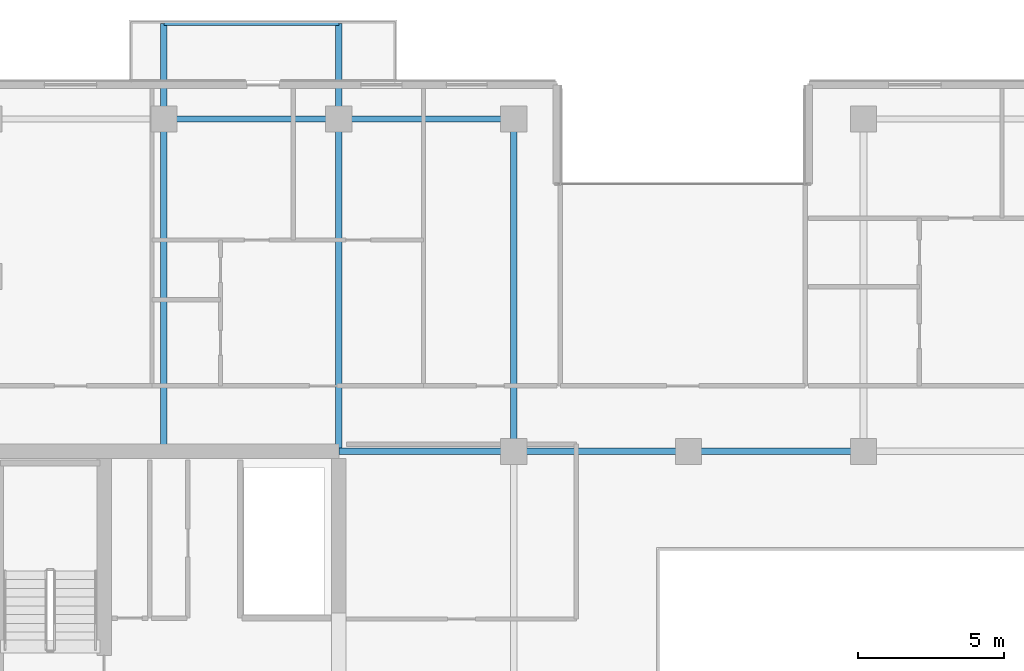
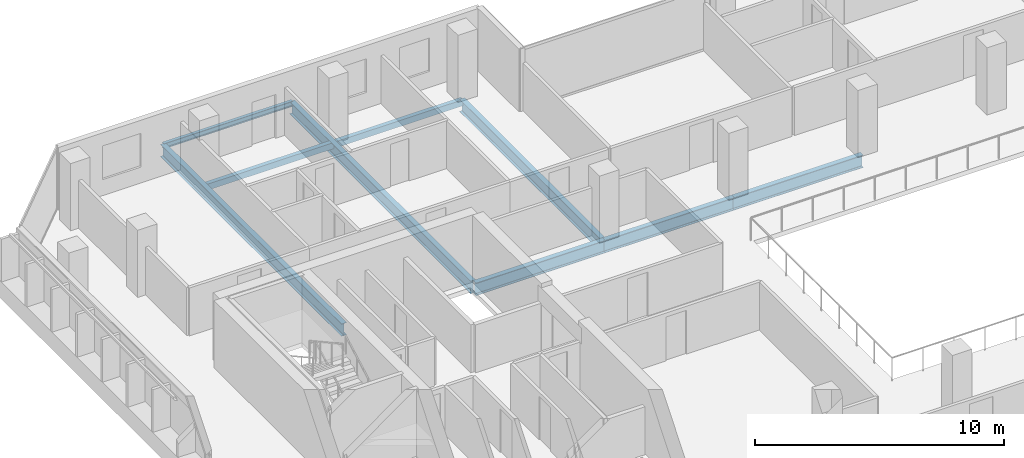
# One storey, part 9 of 29: 9 beams.
"""IFC4 building model written with IfcOpenShell, lengths in metres."""

from ifc_helpers import new_model, si_unit, direction, frame, origin, origin_2d, place, context, subcontext, project, spatial, hollow_rectangle, i_section, extrude, material, material_profile, profile_set, type_object, element, save


model = new_model("IFC4")

# Units and contexts
model_context = context("Model", 3, precision=1e-05, world=origin(), true_north=direction((0.0, 1.0)))
body_context = subcontext(model_context, "Body", "Model", "MODEL_VIEW")
ifc_project = project(units=[si_unit("LENGTHUNIT", "METRE"), si_unit("AREAUNIT", "SQUARE_METRE"), si_unit("VOLUMEUNIT", "CUBIC_METRE"), si_unit("PLANEANGLEUNIT", "RADIAN"), si_unit("MASSUNIT", "GRAM", prefix="KILO")], contexts=[model_context])

# Site, building, storey
site_placement = place(None, origin())
site = spatial("IfcSite", under=ifc_project, at=site_placement, CompositionType="ELEMENT")
building_placement = place(site_placement, origin())
building = spatial("IfcBuilding", under=site, at=building_placement, Name="Tanjung Sevakor Pilgrim Tower", CompositionType="ELEMENT")
storey_placement = place(building_placement, frame((0.0, 0.0, 148.5)))
storey = spatial("IfcBuildingStorey", under=building, at=storey_placement, Name="L41", CompositionType="ELEMENT", Elevation=148.5)

# Beams
ifc_material_1 = material(Name="Steel S355J2", Category="steel")
ifc_material_profile_1 = material_profile(ifc_material_1, i_section(OverallWidth=0.230224609375, OverallDepth=0.6171875, WebThickness=0.01318359375, FlangeThickness=0.022216796875, FilletRadius=0.0126953125, at=origin_2d()))
ifc_profile_set_1 = profile_set([ifc_material_profile_1], Name="Steel S355J2")
beam_type_1 = type_object("IfcBeamType", Name="BM-B-G3-UB_610x229x140", PredefinedType="BEAM", material=ifc_profile_set_1)
for number, where, z_axis, x_axis, name in (
    (1, (36.0, 42.60009765625, -0.528564453125), (1.0, 0.0, 0.0), (0.0, 1.0, 0.0), "L41 Primary Floor Girder MAIN Y426-01"),
    (2, (42.0, 42.60009765625, -0.528564453125), (1.0, 0.0, 0.0), (0.0, 1.0, 0.0), "L41 Primary Floor Girder MAIN Y426-02"),
    (3, (48.0, 42.60009765625, -0.528564453125), (1.0, 0.0, 0.0), (0.0, 1.0, 0.0), "L41 Primary Floor Girder MAIN Y426-03"),
):
    element("IfcBeam", number, at=place(storey_placement, frame(where, z_axis=z_axis, x_axis=x_axis)), inside=storey, type_object=beam_type_1, Name=name, PredefinedType="BEAM", context=body_context, shape_type="SweptSolid", body=[
        extrude(i_section(OverallWidth=0.230224609375, OverallDepth=0.6171875, WebThickness=0.01318359375, FlangeThickness=0.022216796875, FilletRadius=0.0126953125, at=origin_2d()), origin(), (0.0, 0.0, 1.0), 6.0),
    ])
ifc_material_2 = material(Name="Steel S355J2", Category="steel")
ifc_material_profile_2 = material_profile(ifc_material_2, i_section(OverallWidth=0.22900390625, OverallDepth=0.6123046875, WebThickness=0.011962890625, FlangeThickness=0.01953125, FilletRadius=0.0126953125, at=origin_2d()))
ifc_profile_set_2 = profile_set([ifc_material_profile_2], Name="Steel S355J2")
beam_type_2 = type_object("IfcBeamType", Name="BM-B-G4-UB_610x229x125", PredefinedType="BEAM", material=ifc_profile_set_2)
for number, where, z_axis, x_axis, name in (
    (4, (30.0, 42.715087890625, -0.526123046875), (0.0, 1.0, 0.0), (-1.0, 0.0, 0.0), "L41 Balcony Cantilever Beam MAIN-N1-1"),
    (5, (36.0, 42.715087890625, -0.526123046875), (0.0, 1.0, 0.0), (-1.0, 0.0, 0.0), "L41 Balcony Cantilever Beam MAIN-N1-2"),
):
    element("IfcBeam", number, at=place(storey_placement, frame(where, z_axis=z_axis, x_axis=x_axis)), inside=storey, type_object=beam_type_2, Name=name, PredefinedType="BEAM", context=body_context, shape_type="SweptSolid", body=[
        extrude(i_section(OverallWidth=0.22900390625, OverallDepth=0.6123046875, WebThickness=0.011962890625, FlangeThickness=0.01953125, FilletRadius=0.0126953125, at=origin_2d()), origin(), (0.0, 0.0, 1.0), 14.56494140625),
    ])
beam_1_placement = place(storey_placement, frame((42.0, 42.60009765625, -0.526123046875), z_axis=(0.0, 1.0, 0.0), x_axis=(-1.0, 0.0, 0.0)))
element("IfcBeam", 6, at=beam_1_placement, inside=storey, type_object=beam_type_2, Name="L41 MAIN Girder 005", PredefinedType="BEAM", context=body_context, shape_type="SweptSolid", body=[
    extrude(i_section(OverallWidth=0.22900390625, OverallDepth=0.6123046875, WebThickness=0.011962890625, FlangeThickness=0.01953125, FilletRadius=0.0126953125, at=origin_2d()), origin(), (0.0, 0.0, 1.0), 11.39990234375),
])
ifc_material_3 = material(Name="Steel S355J2", Category="steel")
ifc_material_profile_3 = material_profile(ifc_material_3, i_section(OverallWidth=0.146484375, OverallDepth=0.256103515625, WebThickness=0.00634765625, FlangeThickness=0.010986328125, FilletRadius=0.007568359375, at=origin_2d()))
ifc_profile_set_3 = profile_set([ifc_material_profile_3], Name="Steel S355J2")
beam_type_3 = type_object("IfcBeamType", Name="BM-B-J6-UB_254x146x37", PredefinedType="JOIST", material=ifc_profile_set_3)
beam_2_placement = place(storey_placement, frame((30.0, 57.280029296875, -0.327880859375), z_axis=(1.0, 0.0, 0.0), x_axis=(0.0, 1.0, 0.0)))
element("IfcBeam", 7, at=beam_2_placement, inside=storey, type_object=beam_type_3, Name="L41 Balcony Rim Tie MAIN-N1", PredefinedType="JOIST", context=body_context, shape_type="SweptSolid", body=[
    extrude(i_section(OverallWidth=0.146484375, OverallDepth=0.256103515625, WebThickness=0.00634765625, FlangeThickness=0.010986328125, FilletRadius=0.007568359375, at=origin_2d()), origin(), (0.0, 0.0, 1.0), 6.0),
])
ifc_material_4 = material(Name="Steel S355J2", Category="steel")
ifc_material_profile_4 = material_profile(ifc_material_4, hollow_rectangle(XDim=0.199951171875, YDim=0.300048828125, WallThickness=0.012451171875, at=origin_2d()))
ifc_profile_set_4 = profile_set([ifc_material_profile_4], Name="Steel S355J2")
beam_type_4 = type_object("IfcBeamType", Name="BM-B-SP3-RHS_300x200x12.5", PredefinedType="SPANDREL", material=ifc_profile_set_4)
for number, where, z_axis, x_axis, name in (
    (8, (30.0, 54.0, -0.3701171875), (1.0, 0.0, 0.0), (0.0, 1.0, 0.0), "L41 Spandrel MAIN N-04"),
    (9, (36.0, 54.0, -0.3701171875), (1.0, 0.0, 0.0), (0.0, 1.0, 0.0), "L41 Spandrel MAIN N-06"),
):
    element("IfcBeam", number, at=place(storey_placement, frame(where, z_axis=z_axis, x_axis=x_axis)), inside=storey, type_object=beam_type_4, Name=name, PredefinedType="SPANDREL", context=body_context, shape_type="SweptSolid", body=[
        extrude(hollow_rectangle(XDim=0.199951171875, YDim=0.300048828125, WallThickness=0.012451171875, at=origin_2d()), origin(), (0.0, 0.0, 1.0), 6.0),
    ])

save(model, "model.ifc")
